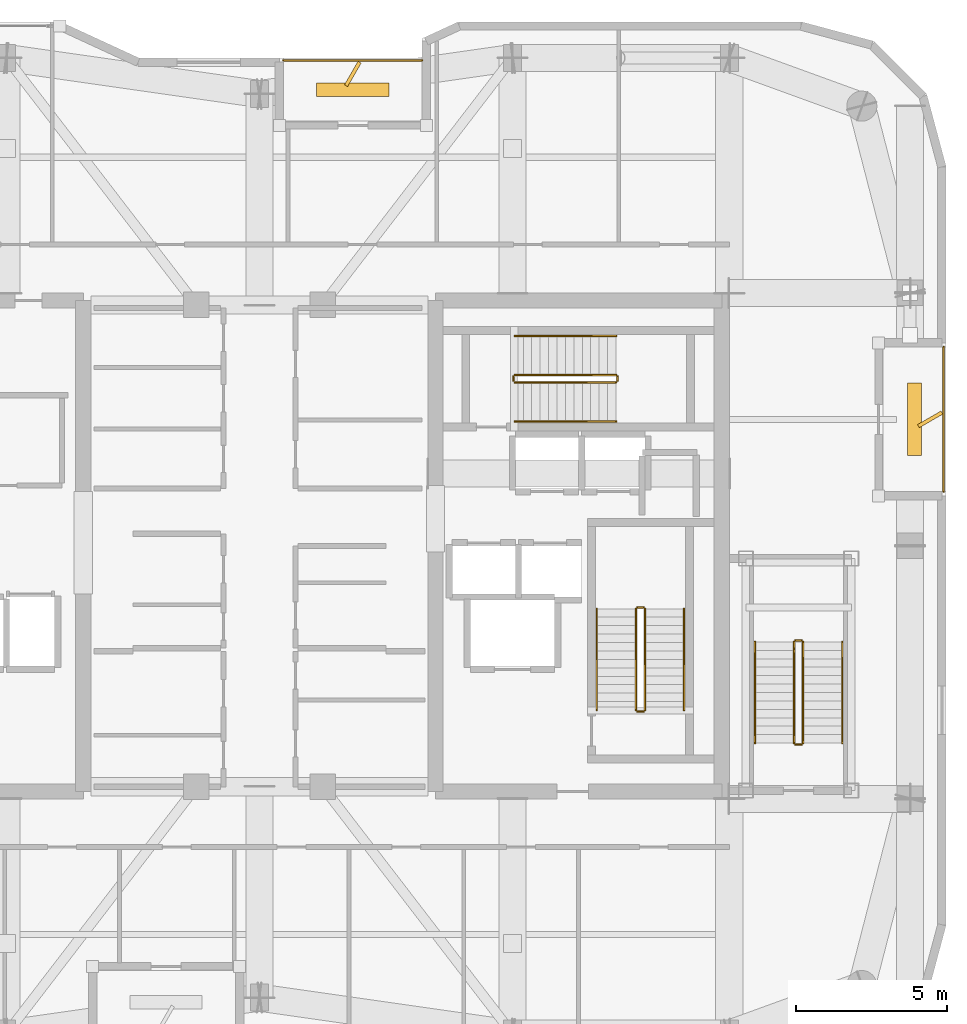
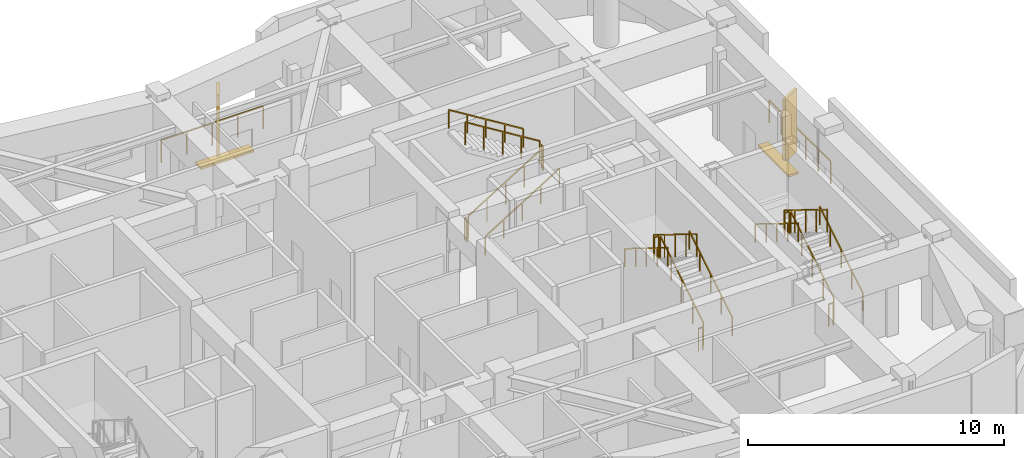
# One storey, part 17 of 17: 20 railings, 4 shading devices.
"""IFC4 building model written with IfcOpenShell, lengths in metres."""

from ifc_helpers import new_model, si_unit, direction, frame, origin, origin_2d, place, context, subcontext, project, spatial, rectangle, extrude, material, type_object, element, save


model = new_model("IFC4")

# Units and contexts
model_context = context("Model", 3, precision=1e-05, world=origin(), true_north=direction((0.0, 1.0)))
body_context = subcontext(model_context, "Body", "Model", "MODEL_VIEW")
ifc_project = project(units=[si_unit("LENGTHUNIT", "METRE"), si_unit("AREAUNIT", "SQUARE_METRE"), si_unit("VOLUMEUNIT", "CUBIC_METRE"), si_unit("PLANEANGLEUNIT", "RADIAN"), si_unit("MASSUNIT", "GRAM", prefix="KILO")], contexts=[model_context])

# Site, building, storey
site_placement = place(None, origin())
site = spatial("IfcSite", under=ifc_project, at=site_placement, CompositionType="ELEMENT")
building_placement = place(site_placement, origin())
building = spatial("IfcBuilding", under=site, at=building_placement, Name="Kiyonajd Concourse Tower", CompositionType="ELEMENT")
storey_placement = place(building_placement, frame((0.0, 0.0, 350.39990234375)))
storey = spatial("IfcBuildingStorey", under=building, at=storey_placement, Name="L88", CompositionType="ELEMENT", Elevation=350.39990234375)

# Railings
ifc_material_1 = material(Name="Thermally Broken Anodised Aluminium", Category="aluminium")
railing_type_1 = type_object("IfcRailingType", Name="RL-GRD-LOG", PredefinedType="GUARDRAIL", material=ifc_material_1)
railing_1_placement = place(storey_placement, frame((53.39990234375, 52.1201171875, 0.0)))
element("IfcRailing", 1, at=railing_1_placement, inside=storey, type_object=railing_type_1, Name="L88 Engawa Loggia Perimeter Guard LOG-N", PredefinedType="GUARDRAIL", context=body_context, shape_type="SweptSolid", body=[
    extrude(rectangle(XDim=0.048095703125, YDim=0.048095703125, at=origin_2d()), frame((0.0, 0.0, 1.076171875), z_axis=(-1.0, 0.0, 0.0), x_axis=(0.0, -1.0, 0.0)), (0.0, 0.0, 1.0), 4.599853515625),
    extrude(rectangle(XDim=0.0419921875, YDim=0.0419921875, at=origin_2d()), origin(), (0.0, 0.0, 1.0), 1.052001953125),
    extrude(rectangle(XDim=0.0419921875, YDim=0.0419921875, at=origin_2d()), frame((-1.14990234375, 0.0, 0.0)), (0.0, 0.0, 1.0), 1.052001953125),
    extrude(rectangle(XDim=0.0419921875, YDim=0.0419921875, at=origin_2d()), frame((-2.2998046875, 0.0, 0.0)), (0.0, 0.0, 1.0), 1.052001953125),
    extrude(rectangle(XDim=0.0419921875, YDim=0.0419921875, at=origin_2d()), frame((-3.449951171875, 0.0, 0.0)), (0.0, 0.0, 1.0), 1.052001953125),
    extrude(rectangle(XDim=0.0419921875, YDim=0.0419921875, at=origin_2d()), frame((-4.599853515625, 0.0, 0.0)), (0.0, 0.0, 1.0), 1.052001953125),
])
railing_2_placement = place(storey_placement, frame((70.719970703125, 37.800048828125, 0.0)))
element("IfcRailing", 2, at=railing_2_placement, inside=storey, type_object=railing_type_1, Name="L88 Engawa Loggia Perimeter Guard LOG-E", PredefinedType="GUARDRAIL", context=body_context, shape_type="SweptSolid", body=[
    extrude(rectangle(XDim=0.048095703125, YDim=0.048095703125, at=origin_2d()), frame((0.0, 0.0, 1.076171875), z_axis=(0.0, 1.0, 0.0), x_axis=(-1.0, 0.0, 0.0)), (0.0, 0.0, 1.0), 4.800048828125),
    extrude(rectangle(XDim=0.0419921875, YDim=0.0419921875, at=origin_2d()), origin(), (0.0, 0.0, 1.0), 1.052001953125),
    extrude(rectangle(XDim=0.0419921875, YDim=0.0419921875, at=origin_2d()), frame((0.0, 0.9599609375, 0.0)), (0.0, 0.0, 1.0), 1.052001953125),
    extrude(rectangle(XDim=0.0419921875, YDim=0.0419921875, at=origin_2d()), frame((0.0, 1.919921875, 0.0)), (0.0, 0.0, 1.0), 1.052001953125),
    extrude(rectangle(XDim=0.0419921875, YDim=0.0419921875, at=origin_2d()), frame((0.0, 2.880126953125, 0.0)), (0.0, 0.0, 1.0), 1.052001953125),
    extrude(rectangle(XDim=0.0419921875, YDim=0.0419921875, at=origin_2d()), frame((0.0, 3.840087890625, 0.0)), (0.0, 0.0, 1.0), 1.052001953125),
    extrude(rectangle(XDim=0.0419921875, YDim=0.0419921875, at=origin_2d()), frame((0.0, 4.800048828125, 0.0)), (0.0, 0.0, 1.0), 1.052001953125),
])
ifc_material_2 = material(Name="Steel ASTM A500 Grade C", Category="steel")
railing_type_2 = type_object("IfcRailingType", Name="RL-GRD-STR", PredefinedType="GUARDRAIL", material=ifc_material_2)
railing_3_placement = place(storey_placement, frame((60.800048828125, 30.550048828125, 0.173095703125)))
element("IfcRailing", 3, at=railing_3_placement, inside=storey, type_object=railing_type_2, Name="L88 ST2 stair guard 1", PredefinedType="GUARDRAIL", context=body_context, shape_type="SweptSolid", body=[
    extrude(rectangle(XDim=0.048095703125, YDim=0.048095703125, at=origin_2d()), frame((0.0, 0.0, 1.076171875), z_axis=(0.0, 0.850606129759, 0.525803396734), x_axis=(-1.0, 0.0, 0.0)), (0.0, 0.0, 1.0), 3.949951171875),
    extrude(rectangle(XDim=0.0419921875, YDim=0.0419921875, at=origin_2d()), origin(), (0.0, 0.0, 1.0), 1.052001953125),
    extrude(rectangle(XDim=0.0419921875, YDim=0.0419921875, at=origin_2d()), frame((0.0, 0.83984375, 0.519287109375)), (0.0, 0.0, 1.0), 1.052001953125),
    extrude(rectangle(XDim=0.0419921875, YDim=0.0419921875, at=origin_2d()), frame((0.0, 1.679931640625, 1.03857421875)), (0.0, 0.0, 1.0), 1.052001953125),
    extrude(rectangle(XDim=0.0419921875, YDim=0.0419921875, at=origin_2d()), frame((0.0, 2.52001953125, 1.5576171875)), (0.0, 0.0, 1.0), 1.052001953125),
    extrude(rectangle(XDim=0.0419921875, YDim=0.0419921875, at=origin_2d()), frame((0.0, 3.35986328125, 2.076904296875)), (0.0, 0.0, 1.0), 1.052001953125),
])
railing_4_placement = place(storey_placement, frame((60.75, 33.9599609375, 2.25)))
element("IfcRailing", 4, at=railing_4_placement, inside=storey, type_object=railing_type_2, Name="L88 ST2 stair guard 2", PredefinedType="GUARDRAIL", context=body_context, shape_type="SweptSolid", body=[
    extrude(rectangle(XDim=0.048095703125, YDim=0.048095703125, at=origin_2d()), frame((0.0, 0.0, 1.076171875), z_axis=(-1.0, 0.0, 0.0), x_axis=(0.0, -1.0, 0.0)), (0.0, 0.0, 1.0), 0.199951171875),
    extrude(rectangle(XDim=0.0419921875, YDim=0.0419921875, at=origin_2d()), origin(), (0.0, 0.0, 1.0), 1.052001953125),
    extrude(rectangle(XDim=0.0419921875, YDim=0.0419921875, at=origin_2d()), frame((-0.199951171875, 0.0, 0.0)), (0.0, 0.0, 1.0), 1.052001953125),
])
railing_5_placement = place(storey_placement, frame((60.5, 33.909912109375, 2.423095703125)))
element("IfcRailing", 5, at=railing_5_placement, inside=storey, type_object=railing_type_2, Name="L88 ST2 stair guard 3", PredefinedType="GUARDRAIL", context=body_context, shape_type="SweptSolid", body=[
    extrude(rectangle(XDim=0.048095703125, YDim=0.048095703125, at=origin_2d()), frame((0.0, 0.0, 1.076171875), z_axis=(0.0, -0.850606129759, 0.525803396734), x_axis=(1.0, 0.0, 0.0)), (0.0, 0.0, 1.0), 3.949951171875),
    extrude(rectangle(XDim=0.0419921875, YDim=0.0419921875, at=origin_2d()), origin(), (0.0, 0.0, 1.0), 1.052001953125),
    extrude(rectangle(XDim=0.0419921875, YDim=0.0419921875, at=origin_2d()), frame((0.0, -0.83984375, 0.519287109375)), (0.0, 0.0, 1.0), 1.052001953125),
    extrude(rectangle(XDim=0.0419921875, YDim=0.0419921875, at=origin_2d()), frame((0.0, -1.679931640625, 1.03857421875)), (0.0, 0.0, 1.0), 1.052001953125),
    extrude(rectangle(XDim=0.0419921875, YDim=0.0419921875, at=origin_2d()), frame((0.0, -2.52001953125, 1.5576171875)), (0.0, 0.0, 1.0), 1.052001953125),
    extrude(rectangle(XDim=0.0419921875, YDim=0.0419921875, at=origin_2d()), frame((0.0, -3.35986328125, 2.076904296875)), (0.0, 0.0, 1.0), 1.052001953125),
])
railing_6_placement = place(storey_placement, frame((60.75, 30.5, 0.0)))
element("IfcRailing", 6, at=railing_6_placement, inside=storey, type_object=railing_type_2, Name="L88 ST2 stair guard 4", PredefinedType="GUARDRAIL", context=body_context, shape_type="SweptSolid", body=[
    extrude(rectangle(XDim=0.048095703125, YDim=0.048095703125, at=origin_2d()), frame((0.0, 0.0, 1.076171875), z_axis=(-1.0, 0.0, 0.0), x_axis=(0.0, -1.0, 0.0)), (0.0, 0.0, 1.0), 0.199951171875),
    extrude(rectangle(XDim=0.0419921875, YDim=0.0419921875, at=origin_2d()), origin(), (0.0, 0.0, 1.0), 1.052001953125),
    extrude(rectangle(XDim=0.0419921875, YDim=0.0419921875, at=origin_2d()), frame((-0.199951171875, 0.0, 0.0)), (0.0, 0.0, 1.0), 1.052001953125),
])
railing_7_placement = place(storey_placement, frame((56.47998046875, 41.429931640625, 0.173095703125)))
element("IfcRailing", 7, at=railing_7_placement, inside=storey, type_object=railing_type_2, Name="L88 ST3 stair guard 1", PredefinedType="GUARDRAIL", context=body_context, shape_type="SweptSolid", body=[
    extrude(rectangle(XDim=0.048095703125, YDim=0.048095703125, at=origin_2d()), frame((0.0, 0.0, 1.076171875), z_axis=(0.850623216509, 0.0, 0.525775754039), x_axis=(0.0, 1.0, 0.0)), (0.0, 0.0, 1.0), 3.9501953125),
    extrude(rectangle(XDim=0.0419921875, YDim=0.0419921875, at=origin_2d()), origin(), (0.0, 0.0, 1.0), 1.052001953125),
    extrude(rectangle(XDim=0.0419921875, YDim=0.0419921875, at=origin_2d()), frame((0.840087890625, 0.0, 0.519287109375)), (0.0, 0.0, 1.0), 1.052001953125),
    extrude(rectangle(XDim=0.0419921875, YDim=0.0419921875, at=origin_2d()), frame((1.68017578125, 0.0, 1.03857421875)), (0.0, 0.0, 1.0), 1.052001953125),
    extrude(rectangle(XDim=0.0419921875, YDim=0.0419921875, at=origin_2d()), frame((2.52001953125, 0.0, 1.5576171875)), (0.0, 0.0, 1.0), 1.052001953125),
    extrude(rectangle(XDim=0.0419921875, YDim=0.0419921875, at=origin_2d()), frame((3.360107421875, 0.0, 2.076904296875)), (0.0, 0.0, 1.0), 1.052001953125),
])
railing_8_placement = place(storey_placement, frame((59.889892578125, 41.47998046875, 2.25)))
element("IfcRailing", 8, at=railing_8_placement, inside=storey, type_object=railing_type_2, Name="L88 ST3 stair guard 2", PredefinedType="GUARDRAIL", context=body_context, shape_type="SweptSolid", body=[
    extrude(rectangle(XDim=0.048095703125, YDim=0.048095703125, at=origin_2d()), frame((0.0, 0.0, 1.076171875), z_axis=(0.0, 1.0, 0.0), x_axis=(-1.0, 0.0, 0.0)), (0.0, 0.0, 1.0), 0.14013671875),
    extrude(rectangle(XDim=0.0419921875, YDim=0.0419921875, at=origin_2d()), origin(), (0.0, 0.0, 1.0), 1.052001953125),
    extrude(rectangle(XDim=0.0419921875, YDim=0.0419921875, at=origin_2d()), frame((0.0, 0.14013671875, 0.0)), (0.0, 0.0, 1.0), 1.052001953125),
])
railing_9_placement = place(storey_placement, frame((59.840087890625, 41.669921875, 2.423095703125)))
element("IfcRailing", 9, at=railing_9_placement, inside=storey, type_object=railing_type_2, Name="L88 ST3 stair guard 3", PredefinedType="GUARDRAIL", context=body_context, shape_type="SweptSolid", body=[
    extrude(rectangle(XDim=0.048095703125, YDim=0.048095703125, at=origin_2d()), frame((0.0, 0.0, 1.076171875), z_axis=(-0.850623216509, 0.0, 0.525775754039), x_axis=(0.0, -1.0, 0.0)), (0.0, 0.0, 1.0), 3.9501953125),
    extrude(rectangle(XDim=0.0419921875, YDim=0.0419921875, at=origin_2d()), origin(), (0.0, 0.0, 1.0), 1.052001953125),
    extrude(rectangle(XDim=0.0419921875, YDim=0.0419921875, at=origin_2d()), frame((-0.840087890625, 0.0, 0.519287109375)), (0.0, 0.0, 1.0), 1.052001953125),
    extrude(rectangle(XDim=0.0419921875, YDim=0.0419921875, at=origin_2d()), frame((-1.68017578125, 0.0, 1.03857421875)), (0.0, 0.0, 1.0), 1.052001953125),
    extrude(rectangle(XDim=0.0419921875, YDim=0.0419921875, at=origin_2d()), frame((-2.52001953125, 0.0, 1.5576171875)), (0.0, 0.0, 1.0), 1.052001953125),
    extrude(rectangle(XDim=0.0419921875, YDim=0.0419921875, at=origin_2d()), frame((-3.360107421875, 0.0, 2.076904296875)), (0.0, 0.0, 1.0), 1.052001953125),
])
railing_10_placement = place(storey_placement, frame((56.429931640625, 41.47998046875, 0.0)))
element("IfcRailing", 10, at=railing_10_placement, inside=storey, type_object=railing_type_2, Name="L88 ST3 stair guard 4", PredefinedType="GUARDRAIL", context=body_context, shape_type="SweptSolid", body=[
    extrude(rectangle(XDim=0.048095703125, YDim=0.048095703125, at=origin_2d()), frame((0.0, 0.0, 1.076171875), z_axis=(0.0, 1.0, 0.0), x_axis=(-1.0, 0.0, 0.0)), (0.0, 0.0, 1.0), 0.14013671875),
    extrude(rectangle(XDim=0.0419921875, YDim=0.0419921875, at=origin_2d()), origin(), (0.0, 0.0, 1.0), 1.052001953125),
    extrude(rectangle(XDim=0.0419921875, YDim=0.0419921875, at=origin_2d()), frame((0.0, 0.14013671875, 0.0)), (0.0, 0.0, 1.0), 1.052001953125),
])
railing_11_placement = place(storey_placement, frame((66.050048828125, 29.449951171875, 0.173095703125)))
element("IfcRailing", 11, at=railing_11_placement, inside=storey, type_object=railing_type_2, Name="L88 ST6 stair guard 1", PredefinedType="GUARDRAIL", context=body_context, shape_type="SweptSolid", body=[
    extrude(rectangle(XDim=0.048095703125, YDim=0.048095703125, at=origin_2d()), frame((0.0, 0.0, 1.076171875), z_axis=(0.0, 0.850623216509, 0.525775754039), x_axis=(-1.0, 0.0, 0.0)), (0.0, 0.0, 1.0), 3.9501953125),
    extrude(rectangle(XDim=0.0419921875, YDim=0.0419921875, at=origin_2d()), origin(), (0.0, 0.0, 1.0), 1.052001953125),
    extrude(rectangle(XDim=0.0419921875, YDim=0.0419921875, at=origin_2d()), frame((0.0, 0.840087890625, 0.519287109375)), (0.0, 0.0, 1.0), 1.052001953125),
    extrude(rectangle(XDim=0.0419921875, YDim=0.0419921875, at=origin_2d()), frame((0.0, 1.68017578125, 1.03857421875)), (0.0, 0.0, 1.0), 1.052001953125),
    extrude(rectangle(XDim=0.0419921875, YDim=0.0419921875, at=origin_2d()), frame((0.0, 2.52001953125, 1.5576171875)), (0.0, 0.0, 1.0), 1.052001953125),
    extrude(rectangle(XDim=0.0419921875, YDim=0.0419921875, at=origin_2d()), frame((0.0, 3.360107421875, 2.076904296875)), (0.0, 0.0, 1.0), 1.052001953125),
])
railing_12_placement = place(storey_placement, frame((66.0, 32.860107421875, 2.25)))
element("IfcRailing", 12, at=railing_12_placement, inside=storey, type_object=railing_type_2, Name="L88 ST6 stair guard 2", PredefinedType="GUARDRAIL", context=body_context, shape_type="SweptSolid", body=[
    extrude(rectangle(XDim=0.048095703125, YDim=0.048095703125, at=origin_2d()), frame((0.0, 0.0, 1.076171875), z_axis=(-1.0, 0.0, 0.0), x_axis=(0.0, -1.0, 0.0)), (0.0, 0.0, 1.0), 0.199951171875),
    extrude(rectangle(XDim=0.0419921875, YDim=0.0419921875, at=origin_2d()), origin(), (0.0, 0.0, 1.0), 1.052001953125),
    extrude(rectangle(XDim=0.0419921875, YDim=0.0419921875, at=origin_2d()), frame((-0.199951171875, 0.0, 0.0)), (0.0, 0.0, 1.0), 1.052001953125),
])
railing_13_placement = place(storey_placement, frame((65.75, 32.81005859375, 2.423095703125)))
element("IfcRailing", 13, at=railing_13_placement, inside=storey, type_object=railing_type_2, Name="L88 ST6 stair guard 3", PredefinedType="GUARDRAIL", context=body_context, shape_type="SweptSolid", body=[
    extrude(rectangle(XDim=0.048095703125, YDim=0.048095703125, at=origin_2d()), frame((0.0, 0.0, 1.076171875), z_axis=(0.0, -0.850623216509, 0.525775754039), x_axis=(1.0, 0.0, 0.0)), (0.0, 0.0, 1.0), 3.9501953125),
    extrude(rectangle(XDim=0.0419921875, YDim=0.0419921875, at=origin_2d()), origin(), (0.0, 0.0, 1.0), 1.052001953125),
    extrude(rectangle(XDim=0.0419921875, YDim=0.0419921875, at=origin_2d()), frame((0.0, -0.840087890625, 0.519287109375)), (0.0, 0.0, 1.0), 1.052001953125),
    extrude(rectangle(XDim=0.0419921875, YDim=0.0419921875, at=origin_2d()), frame((0.0, -1.68017578125, 1.03857421875)), (0.0, 0.0, 1.0), 1.052001953125),
    extrude(rectangle(XDim=0.0419921875, YDim=0.0419921875, at=origin_2d()), frame((0.0, -2.52001953125, 1.5576171875)), (0.0, 0.0, 1.0), 1.052001953125),
    extrude(rectangle(XDim=0.0419921875, YDim=0.0419921875, at=origin_2d()), frame((0.0, -3.360107421875, 2.076904296875)), (0.0, 0.0, 1.0), 1.052001953125),
])
railing_14_placement = place(storey_placement, frame((66.0, 29.39990234375, 0.0)))
element("IfcRailing", 14, at=railing_14_placement, inside=storey, type_object=railing_type_2, Name="L88 ST6 stair guard 4", PredefinedType="GUARDRAIL", context=body_context, shape_type="SweptSolid", body=[
    extrude(rectangle(XDim=0.048095703125, YDim=0.048095703125, at=origin_2d()), frame((0.0, 0.0, 1.076171875), z_axis=(-1.0, 0.0, 0.0), x_axis=(0.0, -1.0, 0.0)), (0.0, 0.0, 1.0), 0.199951171875),
    extrude(rectangle(XDim=0.0419921875, YDim=0.0419921875, at=origin_2d()), origin(), (0.0, 0.0, 1.0), 1.052001953125),
    extrude(rectangle(XDim=0.0419921875, YDim=0.0419921875, at=origin_2d()), frame((-0.199951171875, 0.0, 0.0)), (0.0, 0.0, 1.0), 1.052001953125),
])
ifc_material_3 = material(Name="Brushed Stainless Steel Cab Assembly", Category="steel")
railing_type_3 = type_object("IfcRailingType", Name="RL-HND-900", PredefinedType="HANDRAIL", material=ifc_material_3)
railing_15_placement = place(storey_placement, frame((62.10009765625, 30.550048828125, 0.173095703125)))
element("IfcRailing", 15, at=railing_15_placement, inside=storey, type_object=railing_type_3, Name="L88 ST2 stair handrail 1", PredefinedType="HANDRAIL", context=body_context, shape_type="SweptSolid", body=[
    extrude(rectangle(XDim=0.048095703125, YDim=0.048095703125, at=origin_2d()), frame((0.0, 0.0, 0.8759765625), z_axis=(0.0, 0.850606129759, 0.525803396734), x_axis=(-1.0, 0.0, 0.0)), (0.0, 0.0, 1.0), 3.949951171875),
    extrude(rectangle(XDim=0.0419921875, YDim=0.0419921875, at=origin_2d()), origin(), (0.0, 0.0, 1.0), 0.851806640625),
    extrude(rectangle(XDim=0.0419921875, YDim=0.0419921875, at=origin_2d()), frame((0.0, 0.83984375, 0.519287109375)), (0.0, 0.0, 1.0), 0.851806640625),
    extrude(rectangle(XDim=0.0419921875, YDim=0.0419921875, at=origin_2d()), frame((0.0, 1.679931640625, 1.03857421875)), (0.0, 0.0, 1.0), 0.851806640625),
    extrude(rectangle(XDim=0.0419921875, YDim=0.0419921875, at=origin_2d()), frame((0.0, 2.52001953125, 1.5576171875)), (0.0, 0.0, 1.0), 0.851806640625),
    extrude(rectangle(XDim=0.0419921875, YDim=0.0419921875, at=origin_2d()), frame((0.0, 3.35986328125, 2.076904296875)), (0.0, 0.0, 1.0), 0.851806640625),
])
railing_16_placement = place(storey_placement, frame((59.199951171875, 33.909912109375, 2.423095703125)))
element("IfcRailing", 16, at=railing_16_placement, inside=storey, type_object=railing_type_3, Name="L88 ST2 stair handrail 2", PredefinedType="HANDRAIL", context=body_context, shape_type="SweptSolid", body=[
    extrude(rectangle(XDim=0.048095703125, YDim=0.048095703125, at=origin_2d()), frame((0.0, 0.0, 0.8759765625), z_axis=(0.0, -0.850606129759, 0.525803396734), x_axis=(1.0, 0.0, 0.0)), (0.0, 0.0, 1.0), 3.949951171875),
    extrude(rectangle(XDim=0.0419921875, YDim=0.0419921875, at=origin_2d()), origin(), (0.0, 0.0, 1.0), 0.851806640625),
    extrude(rectangle(XDim=0.0419921875, YDim=0.0419921875, at=origin_2d()), frame((0.0, -0.83984375, 0.519287109375)), (0.0, 0.0, 1.0), 0.851806640625),
    extrude(rectangle(XDim=0.0419921875, YDim=0.0419921875, at=origin_2d()), frame((0.0, -1.679931640625, 1.03857421875)), (0.0, 0.0, 1.0), 0.851806640625),
    extrude(rectangle(XDim=0.0419921875, YDim=0.0419921875, at=origin_2d()), frame((0.0, -2.52001953125, 1.5576171875)), (0.0, 0.0, 1.0), 0.851806640625),
    extrude(rectangle(XDim=0.0419921875, YDim=0.0419921875, at=origin_2d()), frame((0.0, -3.35986328125, 2.076904296875)), (0.0, 0.0, 1.0), 0.851806640625),
])
railing_17_placement = place(storey_placement, frame((56.47998046875, 40.1298828125, 0.173095703125)))
element("IfcRailing", 17, at=railing_17_placement, inside=storey, type_object=railing_type_3, Name="L88 ST3 stair handrail 1", PredefinedType="HANDRAIL", context=body_context, shape_type="SweptSolid", body=[
    extrude(rectangle(XDim=0.048095703125, YDim=0.048095703125, at=origin_2d()), frame((0.0, 0.0, 0.8759765625), z_axis=(0.850623216509, 0.0, 0.525775754039), x_axis=(0.0, 1.0, 0.0)), (0.0, 0.0, 1.0), 3.9501953125),
    extrude(rectangle(XDim=0.0419921875, YDim=0.0419921875, at=origin_2d()), origin(), (0.0, 0.0, 1.0), 0.851806640625),
    extrude(rectangle(XDim=0.0419921875, YDim=0.0419921875, at=origin_2d()), frame((0.840087890625, 0.0, 0.519287109375)), (0.0, 0.0, 1.0), 0.851806640625),
    extrude(rectangle(XDim=0.0419921875, YDim=0.0419921875, at=origin_2d()), frame((1.68017578125, 0.0, 1.03857421875)), (0.0, 0.0, 1.0), 0.851806640625),
    extrude(rectangle(XDim=0.0419921875, YDim=0.0419921875, at=origin_2d()), frame((2.52001953125, 0.0, 1.5576171875)), (0.0, 0.0, 1.0), 0.851806640625),
    extrude(rectangle(XDim=0.0419921875, YDim=0.0419921875, at=origin_2d()), frame((3.360107421875, 0.0, 2.076904296875)), (0.0, 0.0, 1.0), 0.851806640625),
])
railing_18_placement = place(storey_placement, frame((59.840087890625, 42.969970703125, 2.423095703125)))
element("IfcRailing", 18, at=railing_18_placement, inside=storey, type_object=railing_type_3, Name="L88 ST3 stair handrail 2", PredefinedType="HANDRAIL", context=body_context, shape_type="SweptSolid", body=[
    extrude(rectangle(XDim=0.048095703125, YDim=0.048095703125, at=origin_2d()), frame((0.0, 0.0, 0.8759765625), z_axis=(-0.850623216509, 0.0, 0.525775754039), x_axis=(0.0, -1.0, 0.0)), (0.0, 0.0, 1.0), 3.9501953125),
    extrude(rectangle(XDim=0.0419921875, YDim=0.0419921875, at=origin_2d()), origin(), (0.0, 0.0, 1.0), 0.851806640625),
    extrude(rectangle(XDim=0.0419921875, YDim=0.0419921875, at=origin_2d()), frame((-0.840087890625, 0.0, 0.519287109375)), (0.0, 0.0, 1.0), 0.851806640625),
    extrude(rectangle(XDim=0.0419921875, YDim=0.0419921875, at=origin_2d()), frame((-1.68017578125, 0.0, 1.03857421875)), (0.0, 0.0, 1.0), 0.851806640625),
    extrude(rectangle(XDim=0.0419921875, YDim=0.0419921875, at=origin_2d()), frame((-2.52001953125, 0.0, 1.5576171875)), (0.0, 0.0, 1.0), 0.851806640625),
    extrude(rectangle(XDim=0.0419921875, YDim=0.0419921875, at=origin_2d()), frame((-3.360107421875, 0.0, 2.076904296875)), (0.0, 0.0, 1.0), 0.851806640625),
])
railing_19_placement = place(storey_placement, frame((67.35009765625, 29.449951171875, 0.173095703125)))
element("IfcRailing", 19, at=railing_19_placement, inside=storey, type_object=railing_type_3, Name="L88 ST6 stair handrail 1", PredefinedType="HANDRAIL", context=body_context, shape_type="SweptSolid", body=[
    extrude(rectangle(XDim=0.048095703125, YDim=0.048095703125, at=origin_2d()), frame((0.0, 0.0, 0.8759765625), z_axis=(0.0, 0.850623216509, 0.525775754039), x_axis=(-1.0, 0.0, 0.0)), (0.0, 0.0, 1.0), 3.9501953125),
    extrude(rectangle(XDim=0.0419921875, YDim=0.0419921875, at=origin_2d()), origin(), (0.0, 0.0, 1.0), 0.851806640625),
    extrude(rectangle(XDim=0.0419921875, YDim=0.0419921875, at=origin_2d()), frame((0.0, 0.840087890625, 0.519287109375)), (0.0, 0.0, 1.0), 0.851806640625),
    extrude(rectangle(XDim=0.0419921875, YDim=0.0419921875, at=origin_2d()), frame((0.0, 1.68017578125, 1.03857421875)), (0.0, 0.0, 1.0), 0.851806640625),
    extrude(rectangle(XDim=0.0419921875, YDim=0.0419921875, at=origin_2d()), frame((0.0, 2.52001953125, 1.5576171875)), (0.0, 0.0, 1.0), 0.851806640625),
    extrude(rectangle(XDim=0.0419921875, YDim=0.0419921875, at=origin_2d()), frame((0.0, 3.360107421875, 2.076904296875)), (0.0, 0.0, 1.0), 0.851806640625),
])
railing_20_placement = place(storey_placement, frame((64.449951171875, 32.81005859375, 2.423095703125)))
element("IfcRailing", 20, at=railing_20_placement, inside=storey, type_object=railing_type_3, Name="L88 ST6 stair handrail 2", PredefinedType="HANDRAIL", context=body_context, shape_type="SweptSolid", body=[
    extrude(rectangle(XDim=0.048095703125, YDim=0.048095703125, at=origin_2d()), frame((0.0, 0.0, 0.8759765625), z_axis=(0.0, -0.850623216509, 0.525775754039), x_axis=(1.0, 0.0, 0.0)), (0.0, 0.0, 1.0), 3.9501953125),
    extrude(rectangle(XDim=0.0419921875, YDim=0.0419921875, at=origin_2d()), origin(), (0.0, 0.0, 1.0), 0.851806640625),
    extrude(rectangle(XDim=0.0419921875, YDim=0.0419921875, at=origin_2d()), frame((0.0, -0.840087890625, 0.519287109375)), (0.0, 0.0, 1.0), 0.851806640625),
    extrude(rectangle(XDim=0.0419921875, YDim=0.0419921875, at=origin_2d()), frame((0.0, -1.68017578125, 1.03857421875)), (0.0, 0.0, 1.0), 0.851806640625),
    extrude(rectangle(XDim=0.0419921875, YDim=0.0419921875, at=origin_2d()), frame((0.0, -2.52001953125, 1.5576171875)), (0.0, 0.0, 1.0), 0.851806640625),
    extrude(rectangle(XDim=0.0419921875, YDim=0.0419921875, at=origin_2d()), frame((0.0, -3.360107421875, 2.076904296875)), (0.0, 0.0, 1.0), 0.851806640625),
])

# Shading devices
ifc_material_4 = material(Name="Precast concrete C50/60", Category="concrete")
shading_device_type_1 = type_object("IfcShadingDeviceType", Name="SH-FIN-900", PredefinedType="USERDEFINED", material=ifc_material_4)
for number, where, z_axis, x_axis, name in (
    (21, (51.10009765625, 51.669921875, 0.0), (0.0, 0.0, 1.0), (0.5, 0.866025403784, 0.0), "L88 Angled Koshi Solar Fin LOG-N"),
    (22, (70.27001953125, 40.199951171875, 0.0), (0.0, 0.0, 1.0), (0.866025403784, 0.5, 0.0), "L88 Angled Koshi Solar Fin LOG-E"),
):
    element("IfcShadingDevice", number, at=place(storey_placement, frame(where, z_axis=z_axis, x_axis=x_axis)), inside=storey, type_object=shading_device_type_1, Name=name, ObjectType="FIN", PredefinedType="USERDEFINED", context=body_context, shape_type="SweptSolid", body=[
        extrude(rectangle(XDim=0.89990234375, YDim=0.1201171875, at=origin_2d()), origin(), (0.0, 0.0, 1.0), 3.0),
    ])
shading_device_type_2 = type_object("IfcShadingDeviceType", Name="SH-LVR-600", PredefinedType="JALOUSIE", material=ifc_material_1)
for number, where, z_axis, x_axis, name in (
    (23, (51.10009765625, 51.14990234375, 0.0), (0.0, 0.0, 1.0), (1.0, 0.0, 0.0), "L88 Loggia Threshold Louver LOG-N"),
    (24, (69.75, 40.199951171875, 0.0), (0.0, 0.0, 1.0), (0.0, 1.0, 0.0), "L88 Loggia Threshold Louver LOG-E"),
):
    element("IfcShadingDevice", number, at=place(storey_placement, frame(where, z_axis=z_axis, x_axis=x_axis)), inside=storey, type_object=shading_device_type_2, Name=name, PredefinedType="JALOUSIE", context=body_context, shape_type="SweptSolid", body=[
        extrude(rectangle(XDim=2.39990234375, YDim=0.449951171875, at=origin_2d()), origin(), (0.0, 0.0, 1.0), 0.10009765625),
    ])

save(model, "model.ifc")
